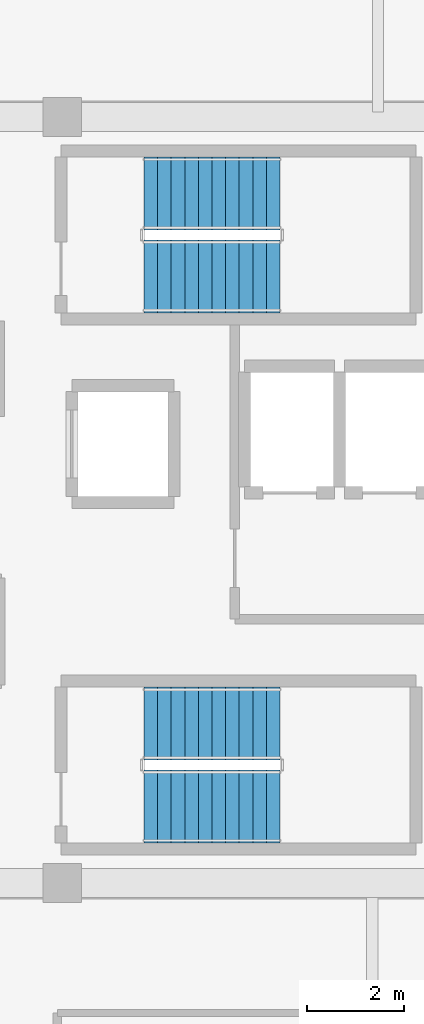
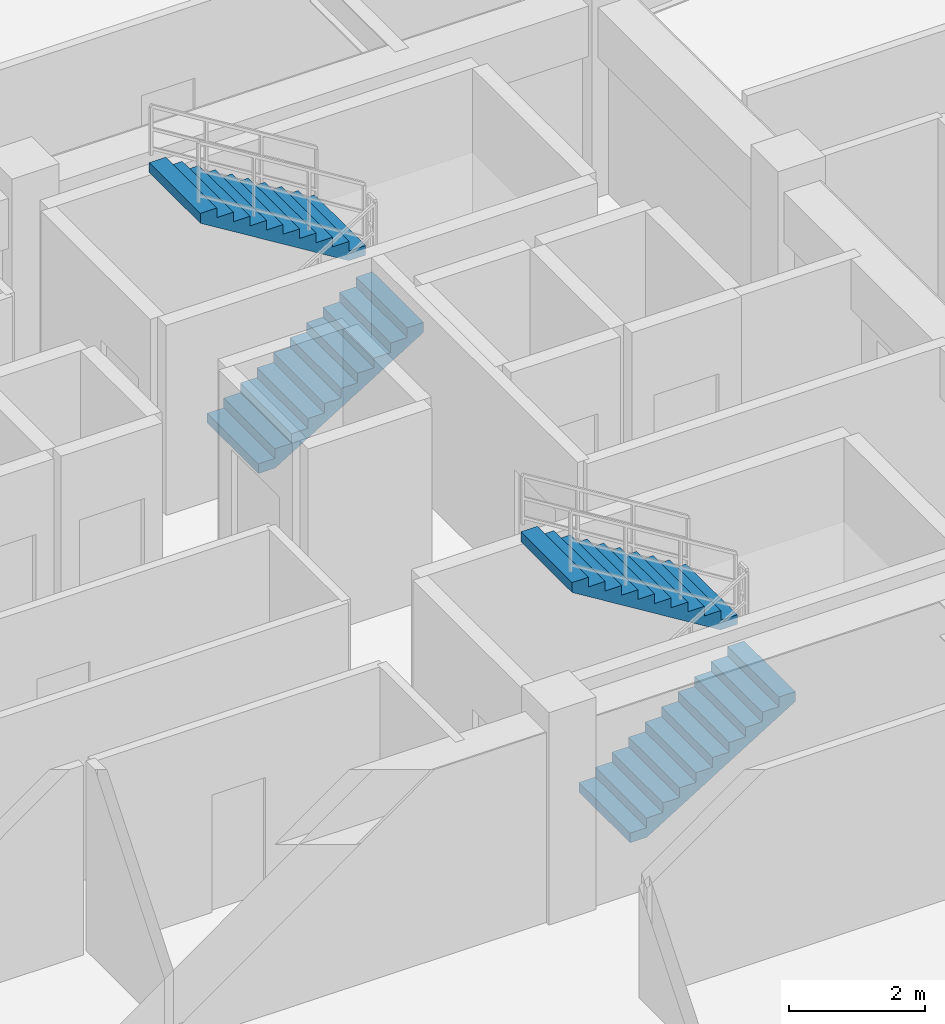
# One storey, part 6 of 9: 4 stair flights, 2 elements without a shape of their own.
"""IFC4 building model written with IfcOpenShell, lengths in metres."""

import ifcopenshell
import ifcopenshell.guid

model = None  # the IFC model being written
_history = None  # IfcOwnerHistory: only IFC2X3 demands one
_inside = {}  # id of a spatial element -> (the spatial element, [elements in it])
_under = {}  # id of a project, library or spatial element -> (it, [spatial elements below it])
_declared = {}  # id of a project -> (the project, [libraries it declares])
_typed = {}  # id of a type object -> (the type object, [elements of that type])
_made_of = {}  # id of a material, layer set ... -> (it, [elements and type objects made of it])


def new_model(schema):
    """Start an empty IFC model of exactly this schema.

    Asked for "IFC4X3", IfcOpenShell would pick the latest addendum, in which some entities
    have other attributes; the version numbers below select the first issue.
    IFC2X3 requires an IfcOwnerHistory on every rooted entity: one is made here for all.
    """
    global model, _history
    if schema == "IFC4X3":
        model = ifcopenshell.file(schema_version=(4, 3, 0, 0))
    else:
        model = ifcopenshell.file(schema=schema)
    _inside.clear()
    _under.clear()
    _declared.clear()
    _typed.clear()
    _made_of.clear()
    _history = None
    if model.schema == "IFC2X3":
        org = make("IfcOrganization", Name="unknown")
        user = make(
            "IfcPersonAndOrganization",
            ThePerson=make("IfcPerson", FamilyName="unknown"),
            TheOrganization=org,
        )
        app = make(
            "IfcApplication",
            ApplicationDeveloper=org,
            Version="unknown",
            ApplicationFullName="unknown",
            ApplicationIdentifier="unknown",
        )
        _history = make(
            "IfcOwnerHistory",
            OwningUser=user,
            OwningApplication=app,
            ChangeAction="ADDED",
            CreationDate=0,
        )
    return model


def make(cls, **values):
    """One entity of the class cls with the attributes given. An attribute that is None is left unset."""
    return model.create_entity(
        cls, **{name: value for name, value in values.items() if value is not None}
    )


def rooted(cls, **values):
    """An entity with a GlobalId (a new one), such as an element, a storey or a relation."""
    return make(cls, GlobalId=ifcopenshell.guid.new(), OwnerHistory=_history, **values)


def si_unit(unit_type, name, prefix=None):
    """IfcSIUnit, for example si_unit("LENGTHUNIT", "METRE", prefix="MILLI")."""
    return make("IfcSIUnit", UnitType=unit_type, Prefix=prefix, Name=name)


def assignment(units):
    """IfcUnitAssignment: the units of a project."""
    return None if units is None else make("IfcUnitAssignment", Units=units)


def point(xyz):
    """IfcCartesianPoint."""
    return None if xyz is None else make("IfcCartesianPoint", Coordinates=xyz)


def direction(xyz):
    """IfcDirection."""
    return None if xyz is None else make("IfcDirection", DirectionRatios=xyz)


def frame(location, z_axis=None, x_axis=None):
    """IfcAxis2Placement3D, a coordinate frame: its origin and axes. An axis left out is left unset."""
    return make(
        "IfcAxis2Placement3D",
        Location=point(location),
        Axis=direction(z_axis),
        RefDirection=direction(x_axis),
    )


def origin():
    """The frame at (0, 0, 0) with its axes left unset."""
    return frame((0.0, 0.0, 0.0))


def place(relative_to, where):
    """IfcLocalPlacement: puts the frame where relative to a parent placement (None: the world)."""
    return make(
        "IfcLocalPlacement", PlacementRelTo=relative_to, RelativePlacement=where
    )


def context(
    kind, dimensions, precision=None, world=None, true_north=None, identifier=None
):
    """IfcGeometricRepresentationContext, for example the 3D "Model" context."""
    return make(
        "IfcGeometricRepresentationContext",
        ContextIdentifier=identifier,
        ContextType=kind,
        CoordinateSpaceDimension=dimensions,
        Precision=precision,
        WorldCoordinateSystem=world,
        TrueNorth=true_north,
    )


def subcontext(parent, identifier, kind, view, scale=None):
    """IfcGeometricRepresentationSubContext, for example "Body" below "Model"."""
    return make(
        "IfcGeometricRepresentationSubContext",
        ContextIdentifier=identifier,
        ContextType=kind,
        ParentContext=parent,
        TargetScale=scale,
        TargetView=view,
    )


def project(units=None, contexts=None):
    """IfcProject with its units and contexts."""
    return rooted(
        "IfcProject",
        Name="project",
        RepresentationContexts=contexts,
        UnitsInContext=assignment(units),
    )


def spatial(cls, under=None, at=None, **own):
    """A site, building, storey or space (cls), placed at a placement, below another one or the project."""
    s = rooted(cls, ObjectPlacement=at, **own)
    if under is not None:
        _under.setdefault(under.id(), (under, []))[1].append(s)
    return s


def polyline(points):
    """IfcPolyline through the points."""
    return make("IfcPolyline", Points=[point(p) for p in points])


def outline(outer, holes=None, kind="AREA"):
    """IfcArbitraryClosedProfileDef: a profile drawn as a closed curve; with holes, ...WithVoids."""
    if holes is None:
        return make("IfcArbitraryClosedProfileDef", ProfileType=kind, OuterCurve=outer)
    return make(
        "IfcArbitraryProfileDefWithVoids",
        ProfileType=kind,
        OuterCurve=outer,
        InnerCurves=holes,
    )


def extrude(swept, where, along, depth):
    """IfcExtrudedAreaSolid: the profile swept, set in the frame where, extruded along a direction by depth."""
    return make(
        "IfcExtrudedAreaSolid",
        SweptArea=swept,
        Position=where,
        ExtrudedDirection=direction(along),
        Depth=depth,
    )


def shape(context_of_items, identifier, shape_type, items):
    """IfcShapeRepresentation: the items that make up one representation, for example the "Body"."""
    return make(
        "IfcShapeRepresentation",
        ContextOfItems=context_of_items,
        RepresentationIdentifier=identifier,
        RepresentationType=shape_type,
        Items=items,
    )


def material(Name=None, Category=None):
    """IfcMaterial."""
    return make("IfcMaterial", Name=Name, Category=Category)


def made_of(thing, what):
    """Note that an element or type object is made of a material, layer set ...; save() writes the relation."""
    if what is not None:
        _made_of.setdefault(what.id(), (what, []))[1].append(thing)
    return thing


def type_object(cls, material=None, **own):
    """A type object (cls), such as IfcWallType, which elements share."""
    return made_of(rooted(cls, **own), material)


def element(
    cls,
    number,
    at=None,
    inside=None,
    cuts=None,
    type_object=None,
    material=None,
    context=None,
    identifier="Body",
    shape_type=None,
    held_by="IfcProductDefinitionShape",
    body=None,
    shapes=None,
    **own,
):
    """One element of the class cls, such as IfcWall. Its Tag is "e" and its number.

    at: its placement. inside: the storey or other place that contains it. cuts: it is an
    opening in that element (IfcRelVoidsElement). A single representation is given by context,
    identifier, shape_type and body (its items); several are given by shapes. held_by: the class
    of the entity that holds the representations. save() writes the other relations.
    """
    e = rooted(cls, Tag="e%d" % number, ObjectPlacement=at, **own)
    if body is not None:
        shapes = [shape(context, identifier, shape_type, body)]
    if shapes is not None:
        e.Representation = make(held_by, Representations=shapes)
    if inside is not None:
        _inside.setdefault(inside.id(), (inside, []))[1].append(e)
    if cuts is not None:
        rooted(
            "IfcRelVoidsElement", RelatingBuildingElement=cuts, RelatedOpeningElement=e
        )
    if type_object is not None:
        _typed.setdefault(type_object.id(), (type_object, []))[1].append(e)
    return made_of(e, material)


def aggregate(whole, parts):
    """IfcRelAggregates: a whole, such as a stair, and the parts it consists of."""
    return rooted("IfcRelAggregates", RelatingObject=whole, RelatedObjects=parts)


def save(model, path):
    """Write the relations noted so far, then the file.

    IfcRelAggregates (storeys below a building ...), IfcRelContainedInSpatialStructure (elements
    in a storey), IfcRelDefinesByType, IfcRelAssociatesMaterial and IfcRelDeclares: one each for
    every whole, place, type object, material and project.
    """
    for whole, parts in _under.values():
        aggregate(whole, parts)
    for where, things in _inside.values():
        rooted(
            "IfcRelContainedInSpatialStructure",
            RelatedElements=things,
            RelatingStructure=where,
        )
    for kind, things in _typed.values():
        rooted("IfcRelDefinesByType", RelatedObjects=things, RelatingType=kind)
    for what, things in _made_of.values():
        rooted("IfcRelAssociatesMaterial", RelatedObjects=things, RelatingMaterial=what)
    for by, libraries in _declared.values():
        rooted("IfcRelDeclares", RelatingContext=by, RelatedDefinitions=libraries)
    model.write(path)


model = new_model("IFC4")

# Units and contexts
model_context = context("Model", 3, precision=1e-05, world=origin(), true_north=direction((0.0, 1.0)))
body_context = subcontext(model_context, "Body", "Model", "MODEL_VIEW")
ifc_project = project(units=[si_unit("LENGTHUNIT", "METRE"), si_unit("AREAUNIT", "SQUARE_METRE"), si_unit("VOLUMEUNIT", "CUBIC_METRE"), si_unit("PLANEANGLEUNIT", "RADIAN"), si_unit("MASSUNIT", "GRAM", prefix="KILO")], contexts=[model_context])

# Site, building, storey
site_placement = place(None, origin())
site = spatial("IfcSite", under=ifc_project, at=site_placement, CompositionType="ELEMENT")
building_placement = place(site_placement, origin())
building = spatial("IfcBuilding", under=site, at=building_placement, Name="Zulverin Broadcast Headquarters", CompositionType="ELEMENT")
storey_placement = place(building_placement, frame((0.0, 0.0, 304.800048828125)))
storey = spatial("IfcBuildingStorey", under=building, at=storey_placement, Name="L78", CompositionType="ELEMENT", Elevation=304.800048828125)

# Stair, stair flights
ifc_material = material(Name="Concrete C40/50", Category="concrete")
stair_type = type_object("IfcStairType", Name="ST-CORE-1500", PredefinedType="HALF_TURN_STAIR", material=ifc_material)
stair_1_placement = place(storey_placement, origin())
stair_1 = element("IfcStair", 1, at=stair_1_placement, inside=storey, type_object=stair_type, Name="L78 Core Exit Stair ST-1", PredefinedType="HALF_TURN_STAIR")
stair_flight_type = type_object("IfcStairFlightType", Name="SF-CORE-1500", PredefinedType="STRAIGHT", material=ifc_material)
stair_flight_1_placement = place(storey_placement, frame((40.1298828125, 29.800048828125, 0.0), z_axis=(0.0, 0.0, 1.0), x_axis=(1.0, 0.0, 0.0)))
stair_flight_1 = element("IfcStairFlight", 2, at=stair_flight_1_placement, type_object=stair_flight_type, Name="ST-1 flight 1", NumberOfRisers=11, NumberOfTreads=10, PredefinedType="STRAIGHT", RiserHeight=0.172727273, TreadLength=0.28, context=body_context, shape_type="SweptSolid", body=[
    extrude(outline(polyline([(0.0, 0.0), (0.0, 0.172607421875), (0.280029296875, 0.172607421875), (0.280029296875, 0.345458984375), (0.56005859375, 0.345458984375), (0.56005859375, 0.51806640625), (0.840087890625, 0.51806640625), (0.840087890625, 0.69091796875), (1.1201171875, 0.69091796875), (1.1201171875, 0.863525390625), (1.39990234375, 0.863525390625), (1.39990234375, 1.036376953125), (1.679931640625, 1.036376953125), (1.679931640625, 1.208984375), (1.9599609375, 1.208984375), (1.9599609375, 1.3818359375), (2.239990234375, 1.3818359375), (2.239990234375, 1.554443359375), (2.52001953125, 1.554443359375), (2.52001953125, 1.727294921875), (2.800048828125, 1.727294921875), (2.800048828125, 1.89990234375), (2.800048828125, 1.551025390625), (0.285400390625, 0.0), (0.0, 0.0)])), frame((0.0, 0.75, 0.0), z_axis=(0.0, -1.0, 0.0), x_axis=(1.0, 0.0, 0.0)), (0.0, 0.0, 1.0), 1.5),
])
stair_flight_2_placement = place(storey_placement, frame((42.929931640625, 31.5, 1.89990234375), z_axis=(0.0, 0.0, 1.0), x_axis=(-1.0, 0.0, 0.0)))
stair_flight_2 = element("IfcStairFlight", 3, at=stair_flight_2_placement, type_object=stair_flight_type, Name="ST-1 flight 2", NumberOfRisers=11, NumberOfTreads=10, PredefinedType="STRAIGHT", RiserHeight=0.172727273, TreadLength=0.28, context=body_context, shape_type="SweptSolid", body=[
    extrude(outline(polyline([(0.0, 0.0), (0.0, 0.172607421875), (0.280029296875, 0.172607421875), (0.280029296875, 0.345458984375), (0.56005859375, 0.345458984375), (0.56005859375, 0.51806640625), (0.840087890625, 0.51806640625), (0.840087890625, 0.69091796875), (1.1201171875, 0.69091796875), (1.1201171875, 0.863525390625), (1.39990234375, 0.863525390625), (1.39990234375, 1.036376953125), (1.679931640625, 1.036376953125), (1.679931640625, 1.208984375), (1.9599609375, 1.208984375), (1.9599609375, 1.3818359375), (2.239990234375, 1.3818359375), (2.239990234375, 1.554443359375), (2.52001953125, 1.554443359375), (2.52001953125, 1.727294921875), (2.800048828125, 1.727294921875), (2.800048828125, 1.89990234375), (2.800048828125, 1.551025390625), (0.285400390625, 0.0), (0.0, 0.0)])), frame((0.0, 0.75, 0.0), z_axis=(0.0, -1.0, 0.0), x_axis=(1.0, 0.0, 0.0)), (0.0, 0.0, 1.0), 1.5),
])
aggregate(stair_1, [stair_flight_1, stair_flight_2])

stair_2_placement = place(storey_placement, origin())
stair_2 = element("IfcStair", 4, at=stair_2_placement, inside=storey, type_object=stair_type, Name="L78 Core Exit Stair ST-2", PredefinedType="HALF_TURN_STAIR")
stair_flight_3_placement = place(storey_placement, frame((40.1298828125, 18.89990234375, 0.0), z_axis=(0.0, 0.0, 1.0), x_axis=(1.0, 0.0, 0.0)))
stair_flight_3 = element("IfcStairFlight", 5, at=stair_flight_3_placement, type_object=stair_flight_type, Name="ST-2 flight 1", NumberOfRisers=11, NumberOfTreads=10, PredefinedType="STRAIGHT", RiserHeight=0.172727273, TreadLength=0.28, context=body_context, shape_type="SweptSolid", body=[
    extrude(outline(polyline([(0.0, 0.0), (0.0, 0.172607421875), (0.280029296875, 0.172607421875), (0.280029296875, 0.345458984375), (0.56005859375, 0.345458984375), (0.56005859375, 0.51806640625), (0.840087890625, 0.51806640625), (0.840087890625, 0.69091796875), (1.1201171875, 0.69091796875), (1.1201171875, 0.863525390625), (1.39990234375, 0.863525390625), (1.39990234375, 1.036376953125), (1.679931640625, 1.036376953125), (1.679931640625, 1.208984375), (1.9599609375, 1.208984375), (1.9599609375, 1.3818359375), (2.239990234375, 1.3818359375), (2.239990234375, 1.554443359375), (2.52001953125, 1.554443359375), (2.52001953125, 1.727294921875), (2.800048828125, 1.727294921875), (2.800048828125, 1.89990234375), (2.800048828125, 1.551025390625), (0.285400390625, 0.0), (0.0, 0.0)])), frame((0.0, 0.75, 0.0), z_axis=(0.0, -1.0, 0.0), x_axis=(1.0, 0.0, 0.0)), (0.0, 0.0, 1.0), 1.5),
])
stair_flight_4_placement = place(storey_placement, frame((42.929931640625, 20.60009765625, 1.89990234375), z_axis=(0.0, 0.0, 1.0), x_axis=(-1.0, 0.0, 0.0)))
stair_flight_4 = element("IfcStairFlight", 6, at=stair_flight_4_placement, type_object=stair_flight_type, Name="ST-2 flight 2", NumberOfRisers=11, NumberOfTreads=10, PredefinedType="STRAIGHT", RiserHeight=0.172727273, TreadLength=0.28, context=body_context, shape_type="SweptSolid", body=[
    extrude(outline(polyline([(0.0, 0.0), (0.0, 0.172607421875), (0.280029296875, 0.172607421875), (0.280029296875, 0.345458984375), (0.56005859375, 0.345458984375), (0.56005859375, 0.51806640625), (0.840087890625, 0.51806640625), (0.840087890625, 0.69091796875), (1.1201171875, 0.69091796875), (1.1201171875, 0.863525390625), (1.39990234375, 0.863525390625), (1.39990234375, 1.036376953125), (1.679931640625, 1.036376953125), (1.679931640625, 1.208984375), (1.9599609375, 1.208984375), (1.9599609375, 1.3818359375), (2.239990234375, 1.3818359375), (2.239990234375, 1.554443359375), (2.52001953125, 1.554443359375), (2.52001953125, 1.727294921875), (2.800048828125, 1.727294921875), (2.800048828125, 1.89990234375), (2.800048828125, 1.551025390625), (0.285400390625, 0.0), (0.0, 0.0)])), frame((0.0, 0.75, 0.0), z_axis=(0.0, -1.0, 0.0), x_axis=(1.0, 0.0, 0.0)), (0.0, 0.0, 1.0), 1.5),
])
aggregate(stair_2, [stair_flight_3, stair_flight_4])

save(model, "model.ifc")
